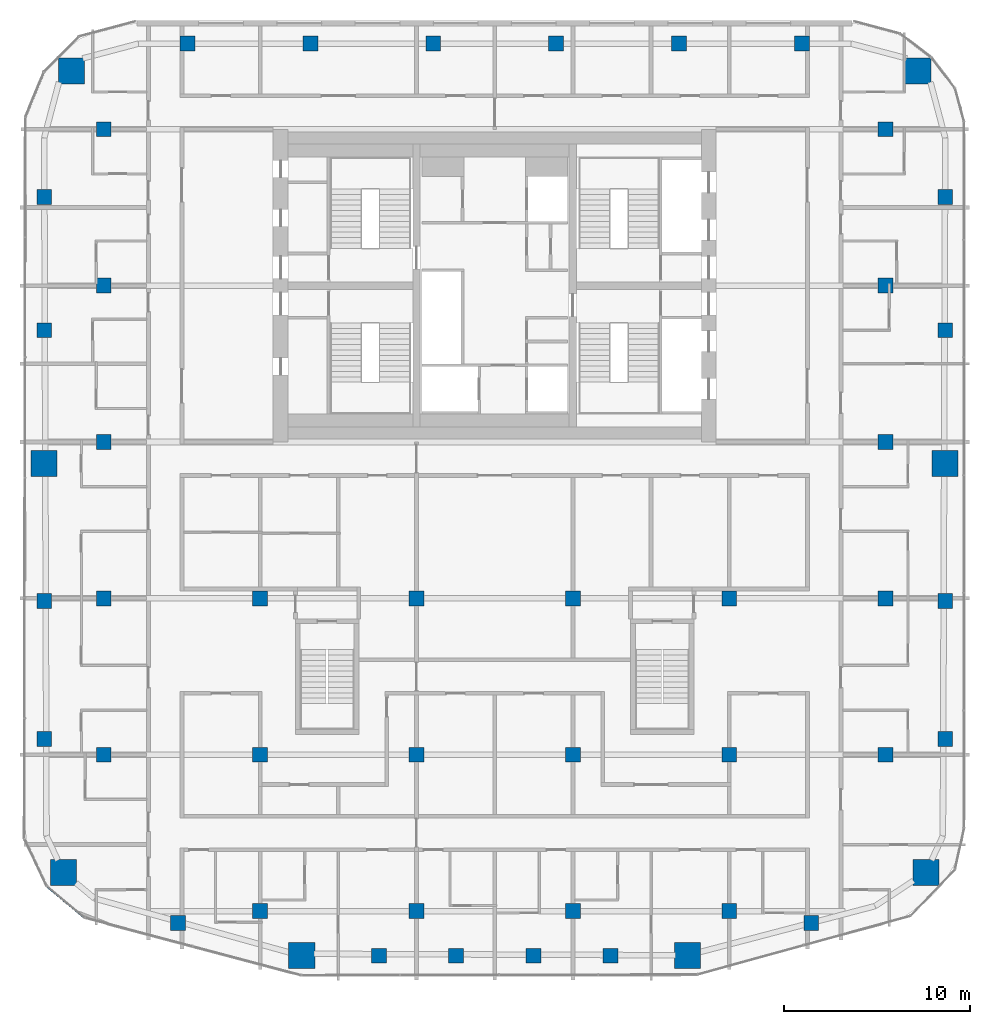
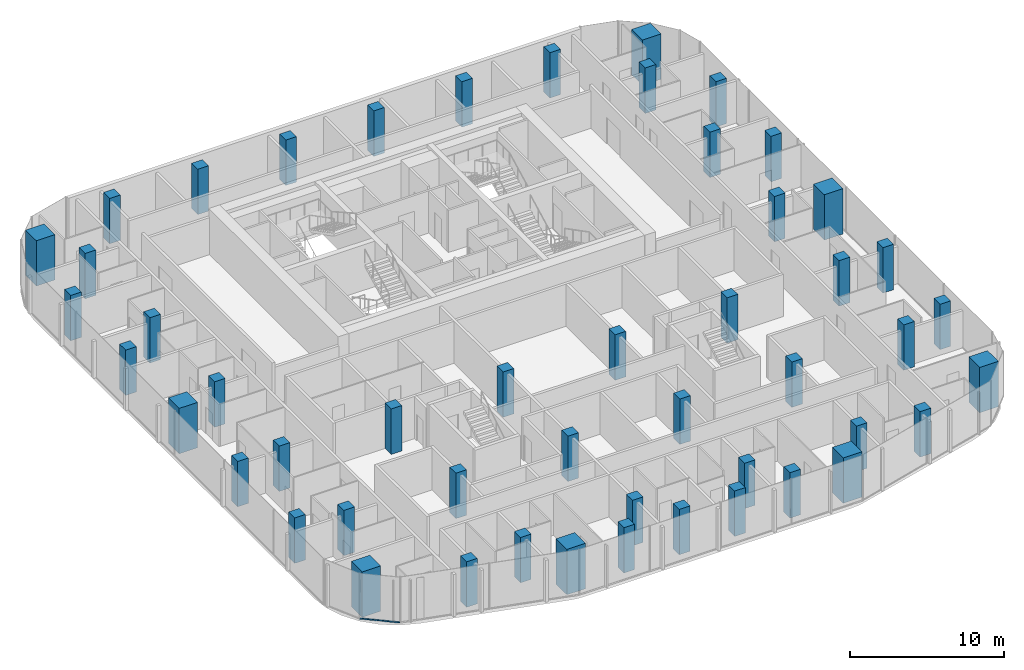
# One storey, part 1 of 22: 50 columns, 1 member, 1 element without a shape of its own.
"""IFC4 building model written with IfcOpenShell, lengths in metres."""

import ifcopenshell
import ifcopenshell.guid

model = None  # the IFC model being written
_history = None  # IfcOwnerHistory: only IFC2X3 demands one
_inside = {}  # id of a spatial element -> (the spatial element, [elements in it])
_under = {}  # id of a project, library or spatial element -> (it, [spatial elements below it])
_declared = {}  # id of a project -> (the project, [libraries it declares])
_typed = {}  # id of a type object -> (the type object, [elements of that type])
_made_of = {}  # id of a material, layer set ... -> (it, [elements and type objects made of it])


def new_model(schema):
    """Start an empty IFC model of exactly this schema.

    Asked for "IFC4X3", IfcOpenShell would pick the latest addendum, in which some entities
    have other attributes; the version numbers below select the first issue.
    IFC2X3 requires an IfcOwnerHistory on every rooted entity: one is made here for all.
    """
    global model, _history
    if schema == "IFC4X3":
        model = ifcopenshell.file(schema_version=(4, 3, 0, 0))
    else:
        model = ifcopenshell.file(schema=schema)
    _inside.clear()
    _under.clear()
    _declared.clear()
    _typed.clear()
    _made_of.clear()
    _history = None
    if model.schema == "IFC2X3":
        org = make("IfcOrganization", Name="unknown")
        user = make(
            "IfcPersonAndOrganization",
            ThePerson=make("IfcPerson", FamilyName="unknown"),
            TheOrganization=org,
        )
        app = make(
            "IfcApplication",
            ApplicationDeveloper=org,
            Version="unknown",
            ApplicationFullName="unknown",
            ApplicationIdentifier="unknown",
        )
        _history = make(
            "IfcOwnerHistory",
            OwningUser=user,
            OwningApplication=app,
            ChangeAction="ADDED",
            CreationDate=0,
        )
    return model


def make(cls, **values):
    """One entity of the class cls with the attributes given. An attribute that is None is left unset."""
    return model.create_entity(
        cls, **{name: value for name, value in values.items() if value is not None}
    )


def rooted(cls, **values):
    """An entity with a GlobalId (a new one), such as an element, a storey or a relation."""
    return make(cls, GlobalId=ifcopenshell.guid.new(), OwnerHistory=_history, **values)


def si_unit(unit_type, name, prefix=None):
    """IfcSIUnit, for example si_unit("LENGTHUNIT", "METRE", prefix="MILLI")."""
    return make("IfcSIUnit", UnitType=unit_type, Prefix=prefix, Name=name)


def assignment(units):
    """IfcUnitAssignment: the units of a project."""
    return None if units is None else make("IfcUnitAssignment", Units=units)


def point(xyz):
    """IfcCartesianPoint."""
    return None if xyz is None else make("IfcCartesianPoint", Coordinates=xyz)


def direction(xyz):
    """IfcDirection."""
    return None if xyz is None else make("IfcDirection", DirectionRatios=xyz)


def frame(location, z_axis=None, x_axis=None):
    """IfcAxis2Placement3D, a coordinate frame: its origin and axes. An axis left out is left unset."""
    return make(
        "IfcAxis2Placement3D",
        Location=point(location),
        Axis=direction(z_axis),
        RefDirection=direction(x_axis),
    )


def frame_2d(location, x_axis=None):
    """IfcAxis2Placement2D, a coordinate frame in the plane: its origin and x axis."""
    return make(
        "IfcAxis2Placement2D", Location=point(location), RefDirection=direction(x_axis)
    )


def origin():
    """The frame at (0, 0, 0) with its axes left unset."""
    return frame((0.0, 0.0, 0.0))


def origin_2d():
    """The frame at (0, 0) in the plane with its x axis left unset."""
    return frame_2d((0.0, 0.0))


def place(relative_to, where):
    """IfcLocalPlacement: puts the frame where relative to a parent placement (None: the world)."""
    return make(
        "IfcLocalPlacement", PlacementRelTo=relative_to, RelativePlacement=where
    )


def context(
    kind, dimensions, precision=None, world=None, true_north=None, identifier=None
):
    """IfcGeometricRepresentationContext, for example the 3D "Model" context."""
    return make(
        "IfcGeometricRepresentationContext",
        ContextIdentifier=identifier,
        ContextType=kind,
        CoordinateSpaceDimension=dimensions,
        Precision=precision,
        WorldCoordinateSystem=world,
        TrueNorth=true_north,
    )


def subcontext(parent, identifier, kind, view, scale=None):
    """IfcGeometricRepresentationSubContext, for example "Body" below "Model"."""
    return make(
        "IfcGeometricRepresentationSubContext",
        ContextIdentifier=identifier,
        ContextType=kind,
        ParentContext=parent,
        TargetScale=scale,
        TargetView=view,
    )


def project(units=None, contexts=None):
    """IfcProject with its units and contexts."""
    return rooted(
        "IfcProject",
        Name="project",
        RepresentationContexts=contexts,
        UnitsInContext=assignment(units),
    )


def spatial(cls, under=None, at=None, **own):
    """A site, building, storey or space (cls), placed at a placement, below another one or the project."""
    s = rooted(cls, ObjectPlacement=at, **own)
    if under is not None:
        _under.setdefault(under.id(), (under, []))[1].append(s)
    return s


def profile(cls, at=None, kind="AREA", **sizes):
    """A parametric profile (cls). Its sizes go by their IFC names, for example OverallWidth=200.0."""
    return make(cls, ProfileType=kind, Position=at, **sizes)


def rectangle(**sizes):
    """IfcRectangleProfileDef."""
    return profile("IfcRectangleProfileDef", **sizes)


def extrude(swept, where, along, depth):
    """IfcExtrudedAreaSolid: the profile swept, set in the frame where, extruded along a direction by depth."""
    return make(
        "IfcExtrudedAreaSolid",
        SweptArea=swept,
        Position=where,
        ExtrudedDirection=direction(along),
        Depth=depth,
    )


def shape(context_of_items, identifier, shape_type, items):
    """IfcShapeRepresentation: the items that make up one representation, for example the "Body"."""
    return make(
        "IfcShapeRepresentation",
        ContextOfItems=context_of_items,
        RepresentationIdentifier=identifier,
        RepresentationType=shape_type,
        Items=items,
    )


def material(Name=None, Category=None):
    """IfcMaterial."""
    return make("IfcMaterial", Name=Name, Category=Category)


def layer(
    of_material, thickness, ventilated=None, Name=None, Category=None, Priority=None
):
    """IfcMaterialLayer: one layer of a wall or slab, of a material (None: an air gap)."""
    return make(
        "IfcMaterialLayer",
        Material=of_material,
        LayerThickness=thickness,
        IsVentilated=ventilated,
        Name=Name,
        Category=Category,
        Priority=Priority,
    )


def layer_set(layers, Name=None):
    """IfcMaterialLayerSet."""
    return make("IfcMaterialLayerSet", MaterialLayers=layers, LayerSetName=Name)


def material_profile(
    of_material, cross_section, Name=None, Category=None, Priority=None
):
    """IfcMaterialProfile: a cross section and its material."""
    return make(
        "IfcMaterialProfile",
        Name=Name,
        Material=of_material,
        Profile=cross_section,
        Priority=Priority,
        Category=Category,
    )


def profile_set(profiles, Name=None, composite=None):
    """IfcMaterialProfileSet."""
    return make(
        "IfcMaterialProfileSet",
        Name=Name,
        MaterialProfiles=profiles,
        CompositeProfile=composite,
    )


def made_of(thing, what):
    """Note that an element or type object is made of a material, layer set ...; save() writes the relation."""
    if what is not None:
        _made_of.setdefault(what.id(), (what, []))[1].append(thing)
    return thing


def type_object(cls, material=None, **own):
    """A type object (cls), such as IfcWallType, which elements share."""
    return made_of(rooted(cls, **own), material)


def element(
    cls,
    number,
    at=None,
    inside=None,
    cuts=None,
    type_object=None,
    material=None,
    context=None,
    identifier="Body",
    shape_type=None,
    held_by="IfcProductDefinitionShape",
    body=None,
    shapes=None,
    **own,
):
    """One element of the class cls, such as IfcWall. Its Tag is "e" and its number.

    at: its placement. inside: the storey or other place that contains it. cuts: it is an
    opening in that element (IfcRelVoidsElement). A single representation is given by context,
    identifier, shape_type and body (its items); several are given by shapes. held_by: the class
    of the entity that holds the representations. save() writes the other relations.
    """
    e = rooted(cls, Tag="e%d" % number, ObjectPlacement=at, **own)
    if body is not None:
        shapes = [shape(context, identifier, shape_type, body)]
    if shapes is not None:
        e.Representation = make(held_by, Representations=shapes)
    if inside is not None:
        _inside.setdefault(inside.id(), (inside, []))[1].append(e)
    if cuts is not None:
        rooted(
            "IfcRelVoidsElement", RelatingBuildingElement=cuts, RelatedOpeningElement=e
        )
    if type_object is not None:
        _typed.setdefault(type_object.id(), (type_object, []))[1].append(e)
    return made_of(e, material)


def aggregate(whole, parts):
    """IfcRelAggregates: a whole, such as a stair, and the parts it consists of."""
    return rooted("IfcRelAggregates", RelatingObject=whole, RelatedObjects=parts)


def save(model, path):
    """Write the relations noted so far, then the file.

    IfcRelAggregates (storeys below a building ...), IfcRelContainedInSpatialStructure (elements
    in a storey), IfcRelDefinesByType, IfcRelAssociatesMaterial and IfcRelDeclares: one each for
    every whole, place, type object, material and project.
    """
    for whole, parts in _under.values():
        aggregate(whole, parts)
    for where, things in _inside.values():
        rooted(
            "IfcRelContainedInSpatialStructure",
            RelatedElements=things,
            RelatingStructure=where,
        )
    for kind, things in _typed.values():
        rooted("IfcRelDefinesByType", RelatedObjects=things, RelatingType=kind)
    for what, things in _made_of.values():
        rooted("IfcRelAssociatesMaterial", RelatedObjects=things, RelatingMaterial=what)
    for by, libraries in _declared.values():
        rooted("IfcRelDeclares", RelatingContext=by, RelatedDefinitions=libraries)
    model.write(path)


model = new_model("IFC4")

# Units and contexts
model_context = context("Model", 3, precision=1e-05, world=origin(), true_north=direction((0.0, 1.0)))
body_context = subcontext(model_context, "Body", "Model", "MODEL_VIEW")
ifc_project = project(units=[si_unit("LENGTHUNIT", "METRE"), si_unit("AREAUNIT", "SQUARE_METRE"), si_unit("VOLUMEUNIT", "CUBIC_METRE"), si_unit("PLANEANGLEUNIT", "RADIAN"), si_unit("MASSUNIT", "GRAM", prefix="KILO")], contexts=[model_context])

# Site, building, storey
site_placement = place(None, origin())
site = spatial("IfcSite", under=ifc_project, at=site_placement, CompositionType="ELEMENT")
building_placement = place(site_placement, origin())
building = spatial("IfcBuilding", under=site, at=building_placement, Name="Marenta Gate Hotel Tower", CompositionType="ELEMENT")
storey_placement = place(building_placement, frame((0.0, 0.0, 230.89990234375)))
storey = spatial("IfcBuildingStorey", under=building, at=storey_placement, Name="L54", CompositionType="ELEMENT", Elevation=230.89990234375)

# Columns
ifc_material_1 = material(Name="Concrete C60", Category="concrete")
ifc_material_profile_1 = material_profile(ifc_material_1, rectangle(XDim=0.800048828125, YDim=0.800048828125, at=origin_2d()), Name="800 x 800")
ifc_profile_set_1 = profile_set([ifc_material_profile_1], Name="Concrete C60")
column_type_1 = type_object("IfcColumnType", Name="Edge column 800 x 800 C60", PredefinedType="COLUMN", material=ifc_profile_set_1)
for number, where, z_axis, x_axis, name in (
    (1, (-24.199951171875, -15.951904296875, 0.0), (0.0, 0.0, 1.0), (1.0, 0.0, 0.0), "L54-EC-SW-W-1"),
    (2, (-24.199951171875, -8.55078125, 0.0), (0.0, 0.0, 1.0), (1.0, 0.0, 0.0), "L54-EC-SW-W-2"),
    (3, (-24.199951171875, 6.003173828125, 0.0), (0.0, 0.0, 1.0), (1.0, 0.0, 0.0), "L54-EC-W-NW-1"),
    (4, (-24.199951171875, 13.156494140625, 0.0), (0.0, 0.0, 1.0), (1.0, 0.0, 0.0), "L54-EC-W-NW-2"),
    (5, (-16.5068359375, 21.39990234375, 0.0), (0.0, 0.0, 1.0), (1.0, 0.0, 0.0), "L54-EC-NW-NE-1"),
    (6, (-9.904052734375, 21.39990234375, 0.0), (0.0, 0.0, 1.0), (1.0, 0.0, 0.0), "L54-EC-NW-NE-2"),
    (7, (-3.301513671875, 21.39990234375, 0.0), (0.0, 0.0, 1.0), (1.0, 0.0, 0.0), "L54-EC-NW-NE-3"),
    (8, (3.301513671875, 21.39990234375, 0.0), (0.0, 0.0, 1.0), (1.0, 0.0, 0.0), "L54-EC-NW-NE-4"),
    (9, (9.904052734375, 21.39990234375, 0.0), (0.0, 0.0, 1.0), (1.0, 0.0, 0.0), "L54-EC-NW-NE-5"),
    (10, (16.5068359375, 21.39990234375, 0.0), (0.0, 0.0, 1.0), (1.0, 0.0, 0.0), "L54-EC-NW-NE-6"),
    (11, (24.199951171875, 13.156494140625, 0.0), (0.0, 0.0, 1.0), (1.0, 0.0, 0.0), "L54-EC-NE-E-1"),
    (12, (24.199951171875, 6.003173828125, 0.0), (0.0, 0.0, 1.0), (1.0, 0.0, 0.0), "L54-EC-NE-E-2"),
    (13, (24.199951171875, -8.55078125, 0.0), (0.0, 0.0, 1.0), (1.0, 0.0, 0.0), "L54-EC-E-SE-1"),
    (14, (24.199951171875, -15.951904296875, 0.0), (0.0, 0.0, 1.0), (1.0, 0.0, 0.0), "L54-EC-E-SE-2"),
    (15, (17.0068359375, -25.839111328125, 0.0), (0.0, 0.0, 1.0), (1.0, 0.0, 0.0), "L54-EC-SE-SKE-1"),
    (16, (6.22021484375, -27.60009765625, 0.0), (0.0, 0.0, 1.0), (1.0, 0.0, 0.0), "L54-EC-SKE-SKW-1"),
    (17, (2.073486328125, -27.60009765625, 0.0), (0.0, 0.0, 1.0), (1.0, 0.0, 0.0), "L54-EC-SKE-SKW-2"),
    (18, (-2.073486328125, -27.60009765625, 0.0), (0.0, 0.0, 1.0), (1.0, 0.0, 0.0), "L54-EC-SKE-SKW-3"),
    (19, (-6.22021484375, -27.60009765625, 0.0), (0.0, 0.0, 1.0), (1.0, 0.0, 0.0), "L54-EC-SKE-SKW-4"),
    (20, (-17.0068359375, -25.839111328125, 0.0), (0.0, 0.0, 1.0), (1.0, 0.0, 0.0), "L54-EC-SKW-SW-1"),
):
    element("IfcColumn", number, at=place(storey_placement, frame(where, z_axis=z_axis, x_axis=x_axis)), inside=storey, type_object=column_type_1, Name=name, PredefinedType="COLUMN", context=body_context, shape_type="SweptSolid", body=[
        extrude(rectangle(XDim=0.800048828125, YDim=0.800048828125, at=origin_2d()), origin(), (0.0, 0.0, 1.0), 3.60009765625),
    ])
ifc_material_2 = material(Name="Concrete C60", Category="concrete")
ifc_material_profile_2 = material_profile(ifc_material_2, rectangle(XDim=0.800048828125, YDim=0.800048828125, at=origin_2d()), Name="800 x 800")
ifc_profile_set_2 = profile_set([ifc_material_profile_2], Name="Concrete C60")
column_type_2 = type_object("IfcColumnType", Name="Interior column 800 x 800 C60", PredefinedType="COLUMN", material=ifc_profile_set_2)
for number, where, z_axis, x_axis, name in (
    (21, (-21.0, -16.800048828125, 0.0), (0.0, 0.0, 1.0), (1.0, 0.0, 0.0), "L54-IC-4D"),
    (22, (-21.0, -8.39990234375, 0.0), (0.0, 0.0, 1.0), (1.0, 0.0, 0.0), "L54-IC-4E"),
    (23, (-21.0, 0.0, 0.0), (0.0, 0.0, 1.0), (1.0, 0.0, 0.0), "L54-IC-4F"),
    (24, (-21.0, 8.39990234375, 0.0), (0.0, 0.0, 1.0), (1.0, 0.0, 0.0), "L54-IC-4G"),
    (25, (-21.0, 16.800048828125, 0.0), (0.0, 0.0, 1.0), (1.0, 0.0, 0.0), "L54-IC-4H"),
    (26, (-12.60009765625, -25.199951171875, 0.0), (0.0, 0.0, 1.0), (1.0, 0.0, 0.0), "L54-IC-5C"),
    (27, (-12.60009765625, -16.800048828125, 0.0), (0.0, 0.0, 1.0), (1.0, 0.0, 0.0), "L54-IC-5D"),
    (28, (-12.60009765625, -8.39990234375, 0.0), (0.0, 0.0, 1.0), (1.0, 0.0, 0.0), "L54-IC-5E"),
    (29, (-4.199951171875, -25.199951171875, 0.0), (0.0, 0.0, 1.0), (1.0, 0.0, 0.0), "L54-IC-6C"),
    (30, (-4.199951171875, -16.800048828125, 0.0), (0.0, 0.0, 1.0), (1.0, 0.0, 0.0), "L54-IC-6D"),
    (31, (-4.199951171875, -8.39990234375, 0.0), (0.0, 0.0, 1.0), (1.0, 0.0, 0.0), "L54-IC-6E"),
    (32, (4.199951171875, -25.199951171875, 0.0), (0.0, 0.0, 1.0), (1.0, 0.0, 0.0), "L54-IC-7C"),
    (33, (4.199951171875, -16.800048828125, 0.0), (0.0, 0.0, 1.0), (1.0, 0.0, 0.0), "L54-IC-7D"),
    (34, (4.199951171875, -8.39990234375, 0.0), (0.0, 0.0, 1.0), (1.0, 0.0, 0.0), "L54-IC-7E"),
    (35, (12.60009765625, -25.199951171875, 0.0), (0.0, 0.0, 1.0), (1.0, 0.0, 0.0), "L54-IC-8C"),
    (36, (12.60009765625, -16.800048828125, 0.0), (0.0, 0.0, 1.0), (1.0, 0.0, 0.0), "L54-IC-8D"),
    (37, (12.60009765625, -8.39990234375, 0.0), (0.0, 0.0, 1.0), (1.0, 0.0, 0.0), "L54-IC-8E"),
    (38, (21.0, -16.800048828125, 0.0), (0.0, 0.0, 1.0), (1.0, 0.0, 0.0), "L54-IC-9D"),
    (39, (21.0, -8.39990234375, 0.0), (0.0, 0.0, 1.0), (1.0, 0.0, 0.0), "L54-IC-9E"),
    (40, (21.0, 0.0, 0.0), (0.0, 0.0, 1.0), (1.0, 0.0, 0.0), "L54-IC-9F"),
    (41, (21.0, 8.39990234375, 0.0), (0.0, 0.0, 1.0), (1.0, 0.0, 0.0), "L54-IC-9G"),
    (42, (21.0, 16.800048828125, 0.0), (0.0, 0.0, 1.0), (1.0, 0.0, 0.0), "L54-IC-9H"),
):
    element("IfcColumn", number, at=place(storey_placement, frame(where, z_axis=z_axis, x_axis=x_axis)), inside=storey, type_object=column_type_2, Name=name, PredefinedType="COLUMN", context=body_context, shape_type="SweptSolid", body=[
        extrude(rectangle(XDim=0.800048828125, YDim=0.800048828125, at=origin_2d()), origin(), (0.0, 0.0, 1.0), 3.60009765625),
    ])
ifc_material_3 = material(Name="Concrete C60", Category="concrete")
ifc_material_profile_3 = material_profile(ifc_material_3, rectangle(XDim=1.39990234375, YDim=1.39990234375, at=origin_2d()), Name="1400 x 1400")
ifc_profile_set_3 = profile_set([ifc_material_profile_3], Name="Concrete C60")
column_type_3 = type_object("IfcColumnType", Name="Mega column 1400 x 1400 C60", PredefinedType="COLUMN", material=ifc_profile_set_3)
for number, where, z_axis, x_axis, name in (
    (43, (-23.1630859375, -23.133056640625, 0.0), (0.0, 0.0, 1.0), (1.0, 0.0, 0.0), "L54-MC-SW"),
    (44, (-10.3662109375, -27.57470703125, 0.0), (0.0, 0.0, 1.0), (1.0, 0.0, 0.0), "L54-MC-SKW"),
    (45, (10.3662109375, -27.57470703125, 0.0), (0.0, 0.0, 1.0), (1.0, 0.0, 0.0), "L54-MC-SKE"),
    (46, (23.1630859375, -23.133056640625, 0.0), (0.0, 0.0, 1.0), (1.0, 0.0, 0.0), "L54-MC-SE"),
    (47, (24.199951171875, -1.14990234375, 0.0), (0.0, 0.0, 1.0), (1.0, 0.0, 0.0), "L54-MC-E"),
    (48, (22.735595703125, 19.935546875, 0.0), (0.0, 0.0, 1.0), (1.0, 0.0, 0.0), "L54-MC-NE"),
    (49, (-22.735595703125, 19.935546875, 0.0), (0.0, 0.0, 1.0), (1.0, 0.0, 0.0), "L54-MC-NW"),
    (50, (-24.199951171875, -1.14990234375, 0.0), (0.0, 0.0, 1.0), (1.0, 0.0, 0.0), "L54-MC-W"),
):
    element("IfcColumn", number, at=place(storey_placement, frame(where, z_axis=z_axis, x_axis=x_axis)), inside=storey, type_object=column_type_3, Name=name, PredefinedType="COLUMN", context=body_context, shape_type="SweptSolid", body=[
        extrude(rectangle(XDim=1.39990234375, YDim=1.39990234375, at=origin_2d()), origin(), (0.0, 0.0, 1.0), 3.60009765625),
    ])

# Curtain wall, member
ifc_material_4 = material(Name="Tinted insulated glass in bronze anodised frame", Category="glass")
ifc_layer = layer(ifc_material_4, 0.1201171875)
ifc_layer_set = layer_set([ifc_layer], Name="Tinted insulated glass in bronze anodised frame")
curtain_wall_type = type_object("IfcCurtainWallType", Name="Tower unitised curtain wall CW1", PredefinedType="NOTDEFINED", material=ifc_layer_set)
curtain_wall_placement = place(storey_placement, origin())
curtain_wall = element("IfcCurtainWall", 51, at=curtain_wall_placement, inside=storey, type_object=curtain_wall_type, Name="CW1 run G05", PredefinedType="NOTDEFINED")
ifc_material_5 = material(Name="Bronze anodised aluminium", Category="aluminium")
ifc_material_profile_4 = material_profile(ifc_material_5, rectangle(XDim=0.1201171875, YDim=0.06005859375, at=origin_2d()), Name="Transom CW1 60x120 bronze anodised aluminium")
ifc_profile_set_4 = profile_set([ifc_material_profile_4], Name="Bronze anodised aluminium")
member_type = type_object("IfcMemberType", Name="Transom CW1 60x120 bronze anodised aluminium", PredefinedType="USERDEFINED", material=ifc_profile_set_4)
member_placement = place(storey_placement, frame((-24.036865234375, -23.879150390625, 0.030029296875), z_axis=(0.767100312603, -0.641527170433, 0.0), x_axis=(0.641527170433, 0.767100312603, 0.0)))
member = element("IfcMember", 52, at=member_placement, type_object=member_type, Name="CW1 transom 1.1", ObjectType="TRANSOM", PredefinedType="USERDEFINED", context=body_context, shape_type="SweptSolid", body=[
    extrude(rectangle(XDim=0.1201171875, YDim=0.06005859375, at=origin_2d()), origin(), (0.0, 0.0, 1.0), 2.609130859375),
])
aggregate(curtain_wall, [member])

save(model, "model.ifc")
